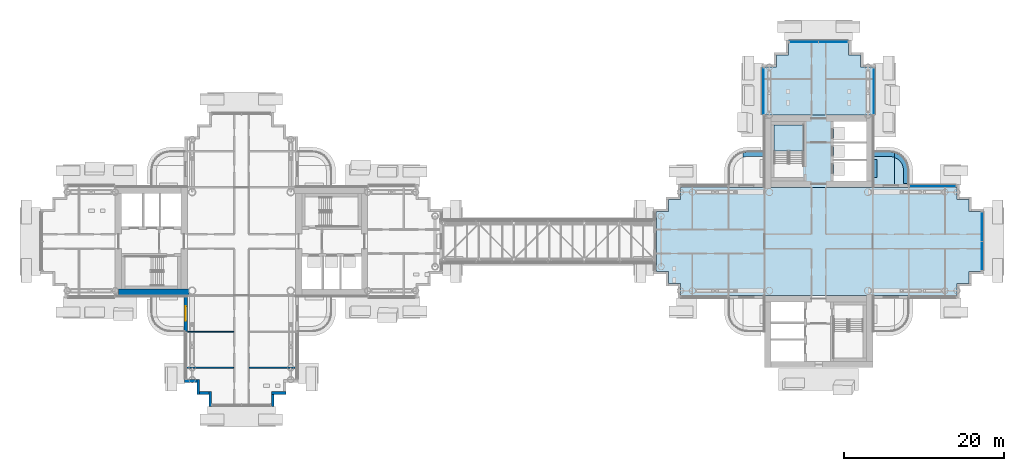
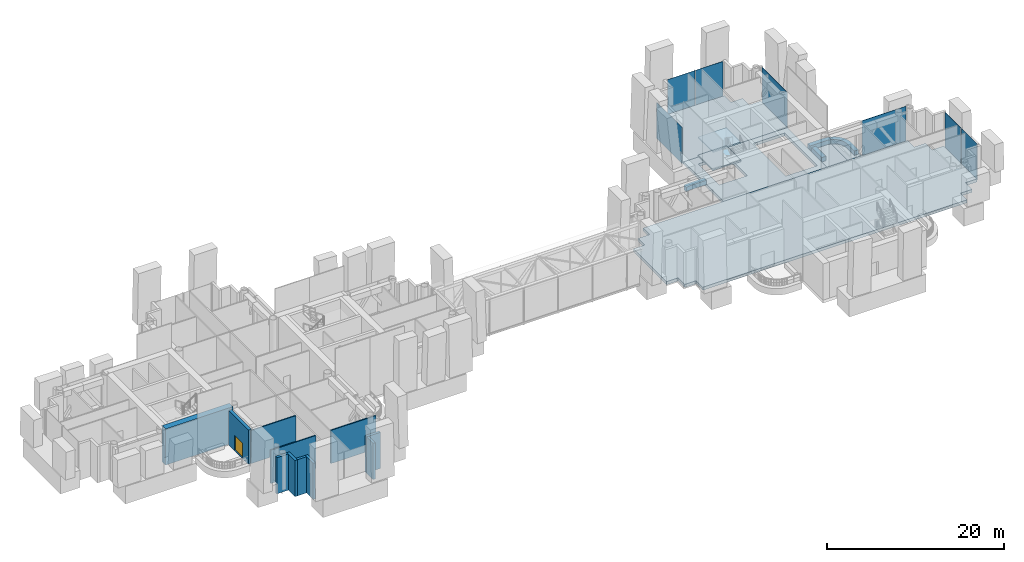
# One storey, part 11 of 34: 11 slabs, 11 walls, 7 plates, 1 door, 1 opening, 6 elements without a shape of their own.
"""IFC4 building model written with IfcOpenShell, lengths in metres."""

from ifc_helpers import new_model, si_unit, direction, frame, frame_2d, origin, origin_2d, place, context, subcontext, project, spatial, polyline, rectangle, outline, extrude, material, layer, layer_set, type_object, element, fill, aggregate, save


model = new_model("IFC4")

# Units and contexts
model_context = context("Model", 3, precision=1e-05, world=origin(), true_north=direction((0.0, 1.0)))
body_context = subcontext(model_context, "Body", "Model", "MODEL_VIEW")
ifc_project = project(units=[si_unit("LENGTHUNIT", "METRE"), si_unit("AREAUNIT", "SQUARE_METRE"), si_unit("VOLUMEUNIT", "CUBIC_METRE"), si_unit("PLANEANGLEUNIT", "RADIAN"), si_unit("MASSUNIT", "GRAM", prefix="KILO")], contexts=[model_context])

# Site, building, storey
site_placement = place(None, origin())
site = spatial("IfcSite", under=ifc_project, at=site_placement, CompositionType="ELEMENT")
building_placement = place(site_placement, origin())
building = spatial("IfcBuilding", under=site, at=building_placement, Name="Ipe Terrace Towers", CompositionType="ELEMENT")
storey_placement = place(building_placement, frame((0.0, 0.0, 128.699951171875)))
storey = spatial("IfcBuildingStorey", under=building, at=storey_placement, Name="L35", CompositionType="ELEMENT", Elevation=128.699951171875)

# Slabs
ifc_material_1 = material(Name="Concrete C30/37", Category="concrete")
ifc_layer_1 = layer(ifc_material_1, 0.199951171875)
ifc_layer_set_1 = layer_set([ifc_layer_1], Name="BALCONY SLAB 200")
slab_type_1 = type_object("IfcSlabType", Name="BALCONY SLAB 200", PredefinedType="FLOOR", material=ifc_layer_set_1)
slab_1_placement = place(storey_placement, frame((0.0, 0.0, -0.219970703125)))
element("IfcSlab", 1, at=slab_1_placement, inside=storey, type_object=slab_type_1, Name="balcony slab", PredefinedType="FLOOR", context=body_context, shape_type="SweptSolid", body=[
    extrude(outline(polyline([(45.1630859375, 11.22900390625), (44.85009765625, 11.25), (42.75, 11.25), (42.75, 6.75), (45.449951171875, 6.75), (45.449951171875, 11.172119140625), (45.1630859375, 11.22900390625)])), origin(), (0.0, 0.0, 1.0), 0.199951171875),
])
slab_2_placement = place(storey_placement, frame((0.0, 0.0, -0.219970703125)))
element("IfcSlab", 2, at=slab_2_placement, inside=storey, type_object=slab_type_1, Name="balcony slab", PredefinedType="FLOOR", context=body_context, shape_type="SweptSolid", body=[
    extrude(outline(polyline([(47.25, 6.75), (47.25, 8.85009765625), (47.22900390625, 9.1630859375), (47.16796875, 9.470947265625), (47.06689453125, 9.76806640625), (46.927978515625, 10.050048828125), (46.75390625, 10.31103515625), (46.547119140625, 10.547119140625), (46.31103515625, 10.75390625), (46.050048828125, 10.927978515625), (45.76806640625, 11.06689453125), (45.470947265625, 11.16796875), (45.449951171875, 11.172119140625), (45.449951171875, 6.75), (47.25, 6.75)])), origin(), (0.0, 0.0, 1.0), 0.199951171875),
])
ifc_material_2 = material(Name="Concrete C30/37", Category="concrete")
ifc_layer_2 = layer(ifc_material_2, 0.39990234375)
ifc_layer_set_2 = layer_set([ifc_layer_2], Name="CORE FLOOR SLAB 400 C30-37")
slab_type_2 = type_object("IfcSlabType", Name="CORE FLOOR SLAB 400 C30-37", PredefinedType="FLOOR", material=ifc_layer_set_2)
slab_3_placement = place(storey_placement, frame((0.0, 0.0, -0.39990234375)))
element("IfcSlab", 3, at=slab_3_placement, inside=storey, type_object=slab_type_2, Name="Core floor T2-C1", PredefinedType="FLOOR", context=body_context, shape_type="SweptSolid", body=[
    extrude(outline(polyline([(29.25, 6.75), (29.25, 15.75), (42.75, 15.75), (42.75, 6.75), (29.25, 6.75)]), holes=[polyline([(41.949951171875, 7.550048828125), (41.949951171875, 14.949951171875), (37.85009765625, 14.949951171875), (37.85009765625, 7.550048828125), (41.949951171875, 7.550048828125)]), polyline([(30.449951171875, 9.800048828125), (34.10009765625, 9.800048828125), (34.10009765625, 14.550048828125), (30.449951171875, 14.550048828125), (30.449951171875, 9.800048828125)])]), origin(), (0.0, 0.0, 1.0), 0.39990234375),
])

# Stair, slabs
ifc_material_3 = material(Name="Concrete C30/37", Category="concrete")
stair_type = type_object("IfcStairType", Name="Protected exit stair", PredefinedType="HALF_TURN_STAIR", material=ifc_material_3)
stair_placement = place(storey_placement, origin())
stair = element("IfcStair", 4, at=stair_placement, inside=storey, type_object=stair_type, Name="L35 Exit stair T2-C1", PredefinedType="HALF_TURN_STAIR")
ifc_material_4 = material(Name="Concrete C30/37", Category="concrete")
ifc_layer_3 = layer(ifc_material_4, 0.199951171875)
ifc_layer_set_3 = layer_set([ifc_layer_3], Name="Exit stair landing 200")
slab_type_3 = type_object("IfcSlabType", Name="Exit stair landing 200", PredefinedType="LANDING", material=ifc_layer_set_3)
slab_4_placement = place(storey_placement, frame((0.0, 0.0, 1.050048828125)))
slab_4 = element("IfcSlab", 5, at=slab_4_placement, type_object=slab_type_3, Name="T2-ST1 landing 1", PredefinedType="LANDING", context=body_context, shape_type="SweptSolid", body=[
    extrude(outline(polyline([(34.10009765625, 11.260009765625), (34.10009765625, 14.550048828125), (30.449951171875, 14.550048828125), (30.449951171875, 11.260009765625), (34.10009765625, 11.260009765625)])), origin(), (0.0, 0.0, 1.0), 0.199951171875),
])
slab_5_placement = place(storey_placement, frame((0.0, 0.0, 3.550048828125)))
slab_5 = element("IfcSlab", 6, at=slab_5_placement, type_object=slab_type_3, Name="T2-ST1 landing 3", PredefinedType="LANDING", context=body_context, shape_type="SweptSolid", body=[
    extrude(outline(polyline([(34.10009765625, 11.260009765625), (34.10009765625, 14.550048828125), (30.449951171875, 14.550048828125), (30.449951171875, 11.260009765625), (34.10009765625, 11.260009765625)])), origin(), (0.0, 0.0, 1.0), 0.199951171875),
])
aggregate(stair, [slab_4, slab_5])

# Slabs
ifc_material_5 = material(Name="Concrete C40/50", Category="concrete")
ifc_layer_4 = layer(ifc_material_5, 0.39990234375)
ifc_layer_set_4 = layer_set([ifc_layer_4], Name="FLAT PLATE SLAB 400 C40-50")
slab_type_4 = type_object("IfcSlabType", Name="FLAT PLATE SLAB 400 C40-50", PredefinedType="FLOOR", material=ifc_layer_set_4)
slab_6_placement = place(storey_placement, frame((0.0, 0.0, -0.39990234375)))
element("IfcSlab", 7, at=slab_6_placement, inside=storey, type_object=slab_type_4, Name="Slab T2-FS-Z31", PredefinedType="FLOOR", context=body_context, shape_type="SweptSolid", body=[
    extrude(outline(polyline([(53.25, 5.25), (54.75, 5.25), (54.75, 3.75), (56.25, 3.75), (56.25, -3.75), (54.75, -3.75), (54.75, -5.25), (53.25, -5.25), (53.25, -6.75), (42.75, -6.75), (29.25, -6.75), (18.75, -6.75), (18.75, -5.25), (17.25, -5.25), (17.25, -3.75), (15.75, -3.75), (15.75, 3.75), (17.25, 3.75), (17.25, 5.25), (18.75, 5.25), (18.75, 6.75), (29.25, 6.75), (42.75, 6.75), (53.25, 6.75), (53.25, 5.25)])), origin(), (0.0, 0.0, 1.0), 0.39990234375),
])
slab_7_placement = place(storey_placement, frame((0.0, 0.0, -0.39990234375)))
element("IfcSlab", 8, at=slab_7_placement, inside=storey, type_object=slab_type_4, Name="Slab T2-FS-Z32", PredefinedType="FLOOR", context=body_context, shape_type="SweptSolid", body=[
    extrude(outline(polyline([(30.75, 21.75), (30.75, 23.25), (32.25, 23.25), (32.25, 24.75), (39.75, 24.75), (39.75, 23.25), (41.25, 23.25), (41.25, 21.75), (42.75, 21.75), (42.75, 15.75), (29.25, 15.75), (29.25, 21.75), (30.75, 21.75)])), origin(), (0.0, 0.0, 1.0), 0.39990234375),
])
ifc_material_6 = material(Name="Concrete C30/37", Category="concrete")
ifc_layer_5 = layer(ifc_material_6, 0.60009765625)
ifc_layer_set_5 = layer_set([ifc_layer_5], Name="PLANTER TROUGH 550 x 600")
slab_type_5 = type_object("IfcSlabType", Name="PLANTER TROUGH 550 x 600", PredefinedType="USERDEFINED", material=ifc_layer_set_5)
slab_8_placement = place(storey_placement, frame((0.0, 0.0, -0.02001953125)))
element("IfcSlab", 9, at=slab_8_placement, inside=storey, type_object=slab_type_5, Name="planter", ObjectType="PLANTER", PredefinedType="USERDEFINED", context=body_context, shape_type="SweptSolid", body=[
    extrude(outline(polyline([(26.699951171875, 10.529052734375), (26.923095703125, 10.573974609375), (27.172119140625, 10.590087890625), (29.25, 10.590087890625), (29.25, 11.139892578125), (27.1630859375, 11.139892578125), (27.14501953125, 11.138916015625), (26.868896484375, 11.12109375), (26.8330078125, 11.116943359375), (26.574951171875, 11.06494140625), (26.550048828125, 11.05908203125), (26.550048828125, 10.47802734375), (26.699951171875, 10.529052734375)])), origin(), (0.0, 0.0, 1.0), 0.60009765625),
])
slab_9_placement = place(storey_placement, frame((0.0, 0.0, -0.02001953125)))
element("IfcSlab", 10, at=slab_9_placement, inside=storey, type_object=slab_type_5, Name="planter", ObjectType="PLANTER", PredefinedType="USERDEFINED", context=body_context, shape_type="SweptSolid", body=[
    extrude(outline(polyline([(45.300048828125, 10.529052734375), (45.449951171875, 10.47802734375), (45.449951171875, 11.05908203125), (45.425048828125, 11.06494140625), (45.1669921875, 11.116943359375), (45.131103515625, 11.12109375), (44.85498046875, 11.138916015625), (44.8369140625, 11.139892578125), (42.75, 11.139892578125), (42.75, 10.590087890625), (44.827880859375, 10.590087890625), (45.076904296875, 10.573974609375), (45.300048828125, 10.529052734375)])), origin(), (0.0, 0.0, 1.0), 0.60009765625),
])
slab_10_placement = place(storey_placement, frame((0.0, 0.0, -0.02001953125)))
element("IfcSlab", 11, at=slab_10_placement, inside=storey, type_object=slab_type_5, Name="planter", ObjectType="PLANTER", PredefinedType="USERDEFINED", context=body_context, shape_type="SweptSolid", body=[
    extrude(outline(polyline([(45.514892578125, 10.4560546875), (45.718994140625, 10.35595703125), (45.907958984375, 10.22900390625), (46.0791015625, 10.0791015625), (46.22900390625, 9.907958984375), (46.35595703125, 9.718994140625), (46.4560546875, 9.514892578125), (46.529052734375, 9.300048828125), (46.573974609375, 9.076904296875), (46.590087890625, 8.827880859375), (46.590087890625, 7.199951171875), (47.139892578125, 7.199951171875), (47.139892578125, 8.8369140625), (47.138916015625, 8.85498046875), (47.12109375, 9.131103515625), (47.116943359375, 9.1669921875), (47.06494140625, 9.425048828125), (47.055908203125, 9.4599609375), (46.970947265625, 9.708984375), (46.95703125, 9.741943359375), (46.841064453125, 9.97900390625), (46.822998046875, 10.010009765625), (46.677001953125, 10.22900390625), (46.655029296875, 10.257080078125), (46.48095703125, 10.4560546875), (46.4560546875, 10.48095703125), (46.257080078125, 10.655029296875), (46.22900390625, 10.677001953125), (46.010009765625, 10.822998046875), (45.97900390625, 10.841064453125), (45.741943359375, 10.95703125), (45.708984375, 10.970947265625), (45.4599609375, 11.055908203125), (45.449951171875, 11.05908203125), (45.449951171875, 10.47802734375), (45.514892578125, 10.4560546875)])), origin(), (0.0, 0.0, 1.0), 0.60009765625),
])
slab_11_placement = place(storey_placement, frame((0.0, 0.0, -0.02001953125)))
element("IfcSlab", 12, at=slab_11_placement, inside=storey, type_object=slab_type_5, Name="planter", ObjectType="PLANTER", PredefinedType="USERDEFINED", context=body_context, shape_type="SweptSolid", body=[
    extrude(outline(polyline([(42.75, 7.949951171875), (43.300048828125, 7.949951171875), (43.300048828125, 10.25), (42.75, 10.25), (42.75, 7.949951171875)])), origin(), (0.0, 0.0, 1.0), 0.60009765625),
])

# Curtain wall, plates
ifc_material_7 = material(Name="Aluminium alloy 6063-T6", Category="aluminium")
ifc_layer_6 = layer(ifc_material_7, 0.320068359375)
ifc_layer_set_6 = layer_set([ifc_layer_6], Name="REFUGE FLOOR CURTAIN WALL")
curtain_wall_type = type_object("IfcCurtainWallType", Name="REFUGE FLOOR CURTAIN WALL", PredefinedType="NOTDEFINED", material=ifc_layer_set_6)
curtain_wall_1_placement = place(storey_placement, origin())
curtain_wall_1 = element("IfcCurtainWall", 13, at=curtain_wall_1_placement, inside=storey, type_object=curtain_wall_type, Name="T2-CW-L35-08a curtain wall", PredefinedType="NOTDEFINED")
ifc_material_8 = material(Name="Glass, clear laminated", Category="glass")
ifc_layer_7 = layer(ifc_material_8, 0.035888671875)
ifc_layer_set_7 = layer_set([ifc_layer_7], Name="REFUGE FLOOR GLASS PANEL 36")
plate_type_1 = type_object("IfcPlateType", Name="REFUGE FLOOR GLASS PANEL 36", PredefinedType="CURTAIN_PANEL", material=ifc_layer_set_7)
plate_1_placement = place(storey_placement, frame((56.3701171875, -1.82373046875, -0.300048828125), z_axis=(0.0, 0.0, 1.0), x_axis=(0.0, 1.0, 0.0)))
plate_1 = element("IfcPlate", 14, at=plate_1_placement, type_object=plate_type_1, Name="T2-CW-L35-08a panel 1", PredefinedType="CURTAIN_PANEL", context=body_context, shape_type="SweptSolid", body=[
    extrude(rectangle(XDim=3.572509765625, YDim=0.035888671875, at=origin_2d()), origin(), (0.0, 0.0, 1.0), 5.0),
])
plate_2_placement = place(storey_placement, frame((56.3701171875, 1.82373046875, -0.300048828125), z_axis=(0.0, 0.0, 1.0), x_axis=(0.0, 1.0, 0.0)))
plate_2 = element("IfcPlate", 15, at=plate_2_placement, type_object=plate_type_1, Name="T2-CW-L35-08a panel 2", PredefinedType="CURTAIN_PANEL", context=body_context, shape_type="SweptSolid", body=[
    extrude(rectangle(XDim=3.572509765625, YDim=0.035888671875, at=origin_2d()), origin(), (0.0, 0.0, 1.0), 5.0),
])
aggregate(curtain_wall_1, [plate_1, plate_2])

curtain_wall_2_placement = place(storey_placement, origin())
curtain_wall_2 = element("IfcCurtainWall", 16, at=curtain_wall_2_placement, inside=storey, type_object=curtain_wall_type, Name="T2-CW-L35-21a curtain wall", PredefinedType="NOTDEFINED")
plate_3_placement = place(storey_placement, frame((37.82373046875, 24.8701171875, -0.300048828125), z_axis=(0.0, 0.0, 1.0), x_axis=(-1.0, 0.0, 0.0)))
plate_3 = element("IfcPlate", 17, at=plate_3_placement, type_object=plate_type_1, Name="T2-CW-L35-21a panel 1", PredefinedType="CURTAIN_PANEL", context=body_context, shape_type="SweptSolid", body=[
    extrude(rectangle(XDim=3.572509765625, YDim=0.035888671875, at=origin_2d()), origin(), (0.0, 0.0, 1.0), 5.0),
])
plate_4_placement = place(storey_placement, frame((34.17626953125, 24.8701171875, -0.300048828125), z_axis=(0.0, 0.0, 1.0), x_axis=(-1.0, 0.0, 0.0)))
plate_4 = element("IfcPlate", 18, at=plate_4_placement, type_object=plate_type_1, Name="T2-CW-L35-21a panel 2", PredefinedType="CURTAIN_PANEL", context=body_context, shape_type="SweptSolid", body=[
    extrude(rectangle(XDim=3.572509765625, YDim=0.035888671875, at=origin_2d()), origin(), (0.0, 0.0, 1.0), 5.0),
])
aggregate(curtain_wall_2, [plate_3, plate_4])

# Curtain wall, plate
curtain_wall_3_placement = place(storey_placement, origin())
curtain_wall_3 = element("IfcCurtainWall", 19, at=curtain_wall_3_placement, inside=storey, type_object=curtain_wall_type, Name="T2-CW-L35-13a curtain wall", PredefinedType="NOTDEFINED")
ifc_material_9 = material(Name="Insulated spandrel panel, stone-effect cladding", Category="masonry")
ifc_layer_8 = layer(ifc_material_9, 0.035888671875)
ifc_layer_set_8 = layer_set([ifc_layer_8], Name="REFUGE FLOOR SPANDREL PANEL 36")
plate_type_2 = type_object("IfcPlateType", Name="REFUGE FLOOR SPANDREL PANEL 36", PredefinedType="CURTAIN_PANEL", material=ifc_layer_set_8)
plate_5_placement = place(storey_placement, frame((50.25, 6.8701171875, -0.300048828125), z_axis=(0.0, 0.0, 1.0), x_axis=(-1.0, 0.0, 0.0)))
plate_5 = element("IfcPlate", 20, at=plate_5_placement, type_object=plate_type_2, Name="T2-CW-L35-13a panel 1", PredefinedType="CURTAIN_PANEL", context=body_context, shape_type="SweptSolid", body=[
    extrude(rectangle(XDim=5.719970703125, YDim=0.035888671875, at=origin_2d()), origin(), (0.0, 0.0, 1.0), 5.0),
])
aggregate(curtain_wall_3, [plate_5])

curtain_wall_4_placement = place(storey_placement, origin())
curtain_wall_4 = element("IfcCurtainWall", 21, at=curtain_wall_4_placement, inside=storey, type_object=curtain_wall_type, Name="T2-CW-L35-16b curtain wall", PredefinedType="NOTDEFINED")
plate_6_placement = place(storey_placement, frame((42.8701171875, 18.75048828125, -0.300048828125), z_axis=(0.0, 0.0, 1.0), x_axis=(0.0, 1.0, 0.0)))
plate_6 = element("IfcPlate", 22, at=plate_6_placement, type_object=plate_type_2, Name="T2-CW-L35-16b panel 1", PredefinedType="CURTAIN_PANEL", context=body_context, shape_type="SweptSolid", body=[
    extrude(rectangle(XDim=5.718994140625, YDim=0.035888671875, at=origin_2d()), origin(), (0.0, 0.0, 1.0), 5.0),
])
aggregate(curtain_wall_4, [plate_6])

curtain_wall_5_placement = place(storey_placement, origin())
curtain_wall_5 = element("IfcCurtainWall", 23, at=curtain_wall_5_placement, inside=storey, type_object=curtain_wall_type, Name="T2-CW-L35-26a curtain wall", PredefinedType="NOTDEFINED")
plate_7_placement = place(storey_placement, frame((29.1298828125, 18.75048828125, -0.300048828125), z_axis=(0.0, 0.0, 1.0), x_axis=(0.0, -1.0, 0.0)))
plate_7 = element("IfcPlate", 24, at=plate_7_placement, type_object=plate_type_2, Name="T2-CW-L35-26a panel 1", PredefinedType="CURTAIN_PANEL", context=body_context, shape_type="SweptSolid", body=[
    extrude(rectangle(XDim=5.718994140625, YDim=0.035888671875, at=origin_2d()), origin(), (0.0, 0.0, 1.0), 5.0),
])
aggregate(curtain_wall_5, [plate_7])

# Wall, opening, door
ifc_material_10 = material(Name="Concrete C40/50 with buff precast cladding", Category="concrete")
ifc_layer_9 = layer(ifc_material_10, 0.39990234375)
ifc_layer_set_9 = layer_set([ifc_layer_9], Name="BALCONY BAY WALL 400")
wall_type_1 = type_object("IfcWallType", Name="BALCONY BAY WALL 400", PredefinedType="STANDARD", material=ifc_layer_set_9)
wall_1_placement = place(storey_placement, frame((-42.949951171875, -6.75, -0.02001953125), z_axis=(0.0, 0.0, 1.0), x_axis=(0.0, -1.0, 0.0)))
wall_1 = element("IfcWall", 25, at=wall_1_placement, inside=storey, type_object=wall_type_1, Name="T1-W-L35-06a wall", PredefinedType="STANDARD", context=body_context, shape_type="SweptSolid", body=[
    extrude(rectangle(XDim=4.5, YDim=0.39990234375, at=frame_2d((2.25, 0.0))), origin(), (0.0, 0.0, 1.0), 4.719970703125),
])
opening_placement = place(wall_1_placement, frame((1.35009765625, 0.0, 0.02001953125)))
opening = element("IfcOpeningElement", 26, at=opening_placement, cuts=wall_1, Name="Opening T1-D-L35-06", PredefinedType="OPENING", context=body_context, shape_type="SweptSolid", body=[
    extrude(rectangle(XDim=1.800048828125, YDim=2.10009765625, at=frame_2d((0.89990234375, 1.050048828125))), frame((0.0, 0.2099609375, 0.0), z_axis=(0.0, -1.0, 0.0), x_axis=(1.0, 0.0, 0.0)), (0.0, 0.0, 1.0), 0.419921875),
])
ifc_material_11 = material(Name="Aluminium alloy 6063-T6 framed glazed door", Category="aluminium")
door_type = type_object("IfcDoorType", Name="BALCONY DOOR 1800 x 2100 LEFT", OperationType="SINGLE_SWING_LEFT", PredefinedType="DOOR", material=ifc_material_11)
door_placement = place(opening_placement, origin())
door = element("IfcDoor", 27, at=door_placement, inside=storey, type_object=door_type, Name="DB1 door", OperationType="SINGLE_SWING_LEFT", OverallHeight=2.10009765625, OverallWidth=1.800048828125, PredefinedType="DOOR", context=body_context, shape_type="SweptSolid", body=[
    extrude(rectangle(XDim=1.800048828125, YDim=2.10009765625, at=frame_2d((0.89990234375, 1.050048828125))), frame((0.0, 0.02490234375, 0.0), z_axis=(0.0, -1.0, 0.0), x_axis=(1.0, 0.0, 0.0)), (0.0, 0.0, 1.0), 0.050048828125),
])
fill(opening, door)

# Walls
ifc_material_12 = material(Name="Concrete C40/50 with buff precast cladding", Category="concrete")
ifc_layer_10 = layer(ifc_material_12, 0.320068359375)
ifc_layer_set_10 = layer_set([ifc_layer_10], Name="BUFF CLADDING WALL 320")
wall_type_2 = type_object("IfcWallType", Name="BUFF CLADDING WALL 320", PredefinedType="STANDARD", material=ifc_layer_set_10)
wall_2_placement = place(storey_placement, frame((-43.070068359375, -17.409912109375, -0.300048828125), z_axis=(0.0, 0.0, 1.0), x_axis=(1.0, 0.0, 0.0)))
element("IfcWall", 28, at=wall_2_placement, inside=storey, type_object=wall_type_2, Name="T1-W-L35-08a wall", PredefinedType="STANDARD", context=body_context, shape_type="SweptSolid", body=[
    extrude(rectangle(XDim=1.5, YDim=0.320068359375, at=frame_2d((0.75, 0.0))), origin(), (0.0, 0.0, 1.0), 5.0),
])
wall_3_placement = place(storey_placement, frame((-41.409912109375, -17.25, -0.300048828125), z_axis=(0.0, 0.0, 1.0), x_axis=(0.0, -1.0, 0.0)))
element("IfcWall", 29, at=wall_3_placement, inside=storey, type_object=wall_type_2, Name="T1-W-L35-09a wall", PredefinedType="STANDARD", context=body_context, shape_type="SweptSolid", body=[
    extrude(rectangle(XDim=1.820068359375, YDim=0.320068359375, at=frame_2d((0.91015625, 0.0))), origin(), (0.0, 0.0, 1.0), 5.0),
])
wall_4_placement = place(storey_placement, frame((-41.25, -18.909912109375, -0.300048828125), z_axis=(0.0, 0.0, 1.0), x_axis=(1.0, 0.0, 0.0)))
element("IfcWall", 30, at=wall_4_placement, inside=storey, type_object=wall_type_2, Name="T1-W-L35-10a wall", PredefinedType="STANDARD", context=body_context, shape_type="SweptSolid", body=[
    extrude(rectangle(XDim=1.179931640625, YDim=0.320068359375, at=frame_2d((0.58984375, 0.0))), origin(), (0.0, 0.0, 1.0), 5.0),
])
wall_5_placement = place(storey_placement, frame((-39.909912109375, -18.75, -0.300048828125), z_axis=(0.0, 0.0, 1.0), x_axis=(0.0, -1.0, 0.0)))
element("IfcWall", 31, at=wall_5_placement, inside=storey, type_object=wall_type_2, Name="T1-W-L35-11a wall", PredefinedType="STANDARD", context=body_context, shape_type="SweptSolid", body=[
    extrude(rectangle(XDim=1.820068359375, YDim=0.320068359375, at=frame_2d((0.91015625, 0.0))), origin(), (0.0, 0.0, 1.0), 5.0),
])
wall_6_placement = place(storey_placement, frame((-32.090087890625, -20.570068359375, -0.300048828125), z_axis=(0.0, 0.0, 1.0), x_axis=(0.0, 1.0, 0.0)))
element("IfcWall", 32, at=wall_6_placement, inside=storey, type_object=wall_type_2, Name="T1-W-L35-13a wall", PredefinedType="STANDARD", context=body_context, shape_type="SweptSolid", body=[
    extrude(rectangle(XDim=1.5, YDim=0.320068359375, at=frame_2d((0.75, 0.0))), origin(), (0.0, 0.0, 1.0), 5.0),
])
wall_7_placement = place(storey_placement, frame((-32.25, -18.909912109375, -0.300048828125), z_axis=(0.0, 0.0, 1.0), x_axis=(1.0, 0.0, 0.0)))
element("IfcWall", 33, at=wall_7_placement, inside=storey, type_object=wall_type_2, Name="T1-W-L35-14a wall", PredefinedType="STANDARD", context=body_context, shape_type="SweptSolid", body=[
    extrude(rectangle(XDim=1.820068359375, YDim=0.320068359375, at=frame_2d((0.91015625, 0.0))), origin(), (0.0, 0.0, 1.0), 5.0),
])
ifc_material_13 = material(Name="Gypsum board partition", Category="plasterboard")
ifc_layer_11 = layer(ifc_material_13, 0.14990234375)
ifc_layer_set_11 = layer_set([ifc_layer_11], Name="Gypsum board partition 150 mm")
wall_type_3 = type_object("IfcWallType", Name="Gypsum board partition 150 mm", PredefinedType="PARTITIONING", material=ifc_layer_set_11)
for number, where, z_axis, x_axis, name in (
    (34, (-35.02490234375, -15.75, 0.0), (0.0, 0.0, 1.0), (1.0, 0.0, 0.0), "Gypsum board partition T1 L35 sp-Sm-dp1"),
    (35, (-36.97509765625, -15.75, 0.0), (0.0, 0.0, 1.0), (-1.0, 0.0, 0.0), "Gypsum board partition T1 L35 sp-Sm-dm1"),
    (36, (-36.97509765625, -11.25, 0.0), (0.0, 0.0, 1.0), (-1.0, 0.0, 0.0), "Gypsum board partition T1 L35 sp-Sm-dm2"),
):
    element("IfcWall", number, at=place(storey_placement, frame(where, z_axis=z_axis, x_axis=x_axis)), inside=storey, type_object=wall_type_3, Name=name, PredefinedType="PARTITIONING", context=body_context, shape_type="SweptSolid", body=[
        extrude(rectangle(XDim=5.875, YDim=0.14990234375, at=frame_2d((2.9375, 0.0))), origin(), (0.0, 0.0, 1.0), 4.580078125),
    ])
ifc_material_14 = material(Name="Concrete C50/60", Category="concrete")
ifc_layer_12 = layer(ifc_material_14, 0.800048828125)
ifc_layer_set_12 = layer_set([ifc_layer_12], Name="RW800 CORE WALL 800 C50-60")
wall_type_4 = type_object("IfcWallType", Name="RW800 CORE WALL 800 C50-60", PredefinedType="SHEAR", material=ifc_layer_set_12)
wall_8_placement = place(storey_placement, frame((-51.347900390625, -6.35009765625, 0.0), z_axis=(0.0, 0.0, 1.0), x_axis=(1.0, 0.0, 0.0)))
element("IfcWall", 37, at=wall_8_placement, inside=storey, type_object=wall_type_4, Name="Core wall T1-C2-Z3-W01", PredefinedType="SHEAR", context=body_context, shape_type="SweptSolid", body=[
    extrude(rectangle(XDim=8.7958984375, YDim=0.800048828125, at=frame_2d((4.39794921875, 0.0))), origin(), (0.0, 0.0, 1.0), 5.0),
])

save(model, "model.ifc")
